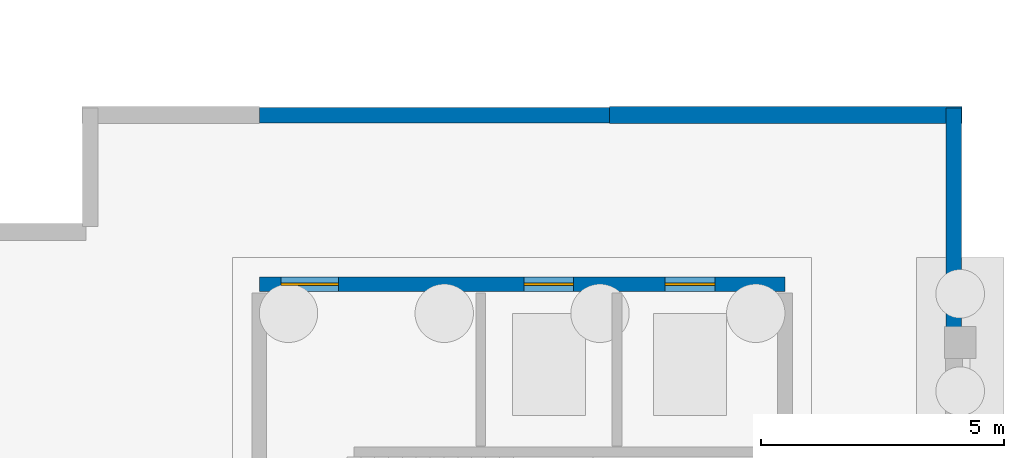
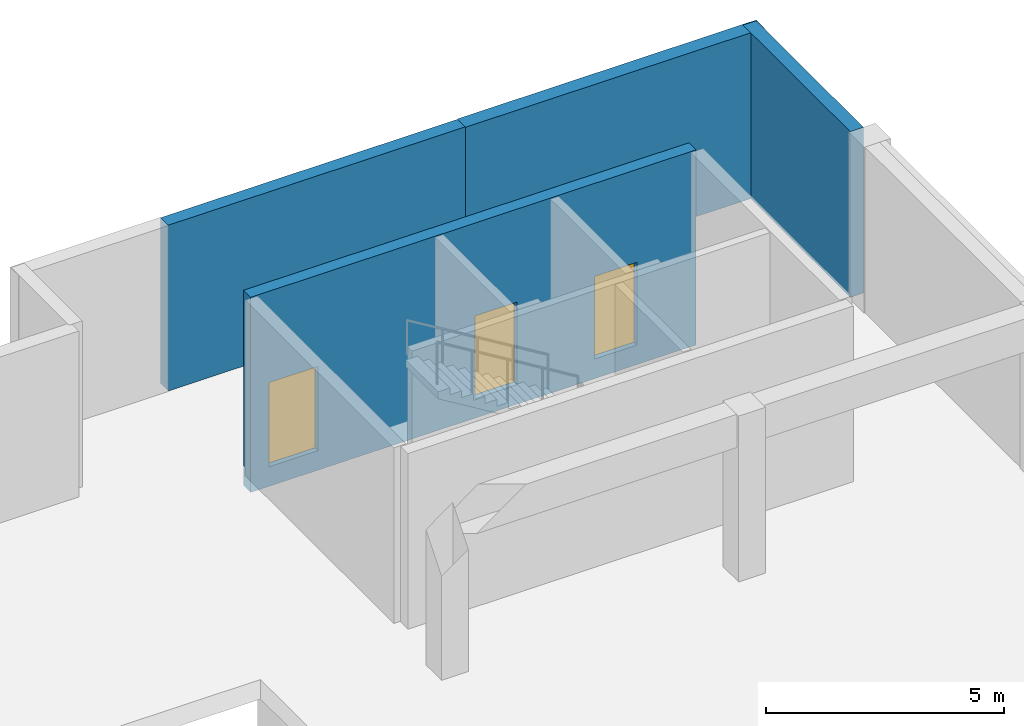
# One storey, part 21 of 28: 4 walls, 3 doors, 3 openings.
"""IFC4 building model written with IfcOpenShell, lengths in metres."""

import ifcopenshell
import ifcopenshell.guid

model = None  # the IFC model being written
_history = None  # IfcOwnerHistory: only IFC2X3 demands one
_inside = {}  # id of a spatial element -> (the spatial element, [elements in it])
_under = {}  # id of a project, library or spatial element -> (it, [spatial elements below it])
_declared = {}  # id of a project -> (the project, [libraries it declares])
_typed = {}  # id of a type object -> (the type object, [elements of that type])
_made_of = {}  # id of a material, layer set ... -> (it, [elements and type objects made of it])


def new_model(schema):
    """Start an empty IFC model of exactly this schema.

    Asked for "IFC4X3", IfcOpenShell would pick the latest addendum, in which some entities
    have other attributes; the version numbers below select the first issue.
    IFC2X3 requires an IfcOwnerHistory on every rooted entity: one is made here for all.
    """
    global model, _history
    if schema == "IFC4X3":
        model = ifcopenshell.file(schema_version=(4, 3, 0, 0))
    else:
        model = ifcopenshell.file(schema=schema)
    _inside.clear()
    _under.clear()
    _declared.clear()
    _typed.clear()
    _made_of.clear()
    _history = None
    if model.schema == "IFC2X3":
        org = make("IfcOrganization", Name="unknown")
        user = make(
            "IfcPersonAndOrganization",
            ThePerson=make("IfcPerson", FamilyName="unknown"),
            TheOrganization=org,
        )
        app = make(
            "IfcApplication",
            ApplicationDeveloper=org,
            Version="unknown",
            ApplicationFullName="unknown",
            ApplicationIdentifier="unknown",
        )
        _history = make(
            "IfcOwnerHistory",
            OwningUser=user,
            OwningApplication=app,
            ChangeAction="ADDED",
            CreationDate=0,
        )
    return model


def make(cls, **values):
    """One entity of the class cls with the attributes given. An attribute that is None is left unset."""
    return model.create_entity(
        cls, **{name: value for name, value in values.items() if value is not None}
    )


def rooted(cls, **values):
    """An entity with a GlobalId (a new one), such as an element, a storey or a relation."""
    return make(cls, GlobalId=ifcopenshell.guid.new(), OwnerHistory=_history, **values)


def si_unit(unit_type, name, prefix=None):
    """IfcSIUnit, for example si_unit("LENGTHUNIT", "METRE", prefix="MILLI")."""
    return make("IfcSIUnit", UnitType=unit_type, Prefix=prefix, Name=name)


def assignment(units):
    """IfcUnitAssignment: the units of a project."""
    return None if units is None else make("IfcUnitAssignment", Units=units)


def point(xyz):
    """IfcCartesianPoint."""
    return None if xyz is None else make("IfcCartesianPoint", Coordinates=xyz)


def direction(xyz):
    """IfcDirection."""
    return None if xyz is None else make("IfcDirection", DirectionRatios=xyz)


def frame(location, z_axis=None, x_axis=None):
    """IfcAxis2Placement3D, a coordinate frame: its origin and axes. An axis left out is left unset."""
    return make(
        "IfcAxis2Placement3D",
        Location=point(location),
        Axis=direction(z_axis),
        RefDirection=direction(x_axis),
    )


def frame_2d(location, x_axis=None):
    """IfcAxis2Placement2D, a coordinate frame in the plane: its origin and x axis."""
    return make(
        "IfcAxis2Placement2D", Location=point(location), RefDirection=direction(x_axis)
    )


def origin():
    """The frame at (0, 0, 0) with its axes left unset."""
    return frame((0.0, 0.0, 0.0))


def place(relative_to, where):
    """IfcLocalPlacement: puts the frame where relative to a parent placement (None: the world)."""
    return make(
        "IfcLocalPlacement", PlacementRelTo=relative_to, RelativePlacement=where
    )


def context(
    kind, dimensions, precision=None, world=None, true_north=None, identifier=None
):
    """IfcGeometricRepresentationContext, for example the 3D "Model" context."""
    return make(
        "IfcGeometricRepresentationContext",
        ContextIdentifier=identifier,
        ContextType=kind,
        CoordinateSpaceDimension=dimensions,
        Precision=precision,
        WorldCoordinateSystem=world,
        TrueNorth=true_north,
    )


def subcontext(parent, identifier, kind, view, scale=None):
    """IfcGeometricRepresentationSubContext, for example "Body" below "Model"."""
    return make(
        "IfcGeometricRepresentationSubContext",
        ContextIdentifier=identifier,
        ContextType=kind,
        ParentContext=parent,
        TargetScale=scale,
        TargetView=view,
    )


def project(units=None, contexts=None):
    """IfcProject with its units and contexts."""
    return rooted(
        "IfcProject",
        Name="project",
        RepresentationContexts=contexts,
        UnitsInContext=assignment(units),
    )


def spatial(cls, under=None, at=None, **own):
    """A site, building, storey or space (cls), placed at a placement, below another one or the project."""
    s = rooted(cls, ObjectPlacement=at, **own)
    if under is not None:
        _under.setdefault(under.id(), (under, []))[1].append(s)
    return s


def profile(cls, at=None, kind="AREA", **sizes):
    """A parametric profile (cls). Its sizes go by their IFC names, for example OverallWidth=200.0."""
    return make(cls, ProfileType=kind, Position=at, **sizes)


def rectangle(**sizes):
    """IfcRectangleProfileDef."""
    return profile("IfcRectangleProfileDef", **sizes)


def extrude(swept, where, along, depth):
    """IfcExtrudedAreaSolid: the profile swept, set in the frame where, extruded along a direction by depth."""
    return make(
        "IfcExtrudedAreaSolid",
        SweptArea=swept,
        Position=where,
        ExtrudedDirection=direction(along),
        Depth=depth,
    )


def shape(context_of_items, identifier, shape_type, items):
    """IfcShapeRepresentation: the items that make up one representation, for example the "Body"."""
    return make(
        "IfcShapeRepresentation",
        ContextOfItems=context_of_items,
        RepresentationIdentifier=identifier,
        RepresentationType=shape_type,
        Items=items,
    )


def material(Name=None, Category=None):
    """IfcMaterial."""
    return make("IfcMaterial", Name=Name, Category=Category)


def layer(
    of_material, thickness, ventilated=None, Name=None, Category=None, Priority=None
):
    """IfcMaterialLayer: one layer of a wall or slab, of a material (None: an air gap)."""
    return make(
        "IfcMaterialLayer",
        Material=of_material,
        LayerThickness=thickness,
        IsVentilated=ventilated,
        Name=Name,
        Category=Category,
        Priority=Priority,
    )


def layer_set(layers, Name=None):
    """IfcMaterialLayerSet."""
    return make("IfcMaterialLayerSet", MaterialLayers=layers, LayerSetName=Name)


def made_of(thing, what):
    """Note that an element or type object is made of a material, layer set ...; save() writes the relation."""
    if what is not None:
        _made_of.setdefault(what.id(), (what, []))[1].append(thing)
    return thing


def type_object(cls, material=None, **own):
    """A type object (cls), such as IfcWallType, which elements share."""
    return made_of(rooted(cls, **own), material)


def element(
    cls,
    number,
    at=None,
    inside=None,
    cuts=None,
    type_object=None,
    material=None,
    context=None,
    identifier="Body",
    shape_type=None,
    held_by="IfcProductDefinitionShape",
    body=None,
    shapes=None,
    **own,
):
    """One element of the class cls, such as IfcWall. Its Tag is "e" and its number.

    at: its placement. inside: the storey or other place that contains it. cuts: it is an
    opening in that element (IfcRelVoidsElement). A single representation is given by context,
    identifier, shape_type and body (its items); several are given by shapes. held_by: the class
    of the entity that holds the representations. save() writes the other relations.
    """
    e = rooted(cls, Tag="e%d" % number, ObjectPlacement=at, **own)
    if body is not None:
        shapes = [shape(context, identifier, shape_type, body)]
    if shapes is not None:
        e.Representation = make(held_by, Representations=shapes)
    if inside is not None:
        _inside.setdefault(inside.id(), (inside, []))[1].append(e)
    if cuts is not None:
        rooted(
            "IfcRelVoidsElement", RelatingBuildingElement=cuts, RelatedOpeningElement=e
        )
    if type_object is not None:
        _typed.setdefault(type_object.id(), (type_object, []))[1].append(e)
    return made_of(e, material)


def fill(opening, filler):
    """IfcRelFillsElement: the door or window that sits in an opening."""
    return rooted(
        "IfcRelFillsElement",
        RelatingOpeningElement=opening,
        RelatedBuildingElement=filler,
    )


def aggregate(whole, parts):
    """IfcRelAggregates: a whole, such as a stair, and the parts it consists of."""
    return rooted("IfcRelAggregates", RelatingObject=whole, RelatedObjects=parts)


def save(model, path):
    """Write the relations noted so far, then the file.

    IfcRelAggregates (storeys below a building ...), IfcRelContainedInSpatialStructure (elements
    in a storey), IfcRelDefinesByType, IfcRelAssociatesMaterial and IfcRelDeclares: one each for
    every whole, place, type object, material and project.
    """
    for whole, parts in _under.values():
        aggregate(whole, parts)
    for where, things in _inside.values():
        rooted(
            "IfcRelContainedInSpatialStructure",
            RelatedElements=things,
            RelatingStructure=where,
        )
    for kind, things in _typed.values():
        rooted("IfcRelDefinesByType", RelatedObjects=things, RelatingType=kind)
    for what, things in _made_of.values():
        rooted("IfcRelAssociatesMaterial", RelatedObjects=things, RelatingMaterial=what)
    for by, libraries in _declared.values():
        rooted("IfcRelDeclares", RelatingContext=by, RelatedDefinitions=libraries)
    model.write(path)


model = new_model("IFC4")

# Units and contexts
model_context = context("Model", 3, precision=1e-05, world=origin(), true_north=direction((0.0, 1.0)))
body_context = subcontext(model_context, "Body", "Model", "MODEL_VIEW")
ifc_project = project(units=[si_unit("LENGTHUNIT", "METRE"), si_unit("AREAUNIT", "SQUARE_METRE"), si_unit("VOLUMEUNIT", "CUBIC_METRE"), si_unit("PLANEANGLEUNIT", "RADIAN"), si_unit("MASSUNIT", "GRAM", prefix="KILO")], contexts=[model_context])

# Site, building, storey
site_placement = place(None, origin())
site = spatial("IfcSite", under=ifc_project, at=site_placement, CompositionType="ELEMENT")
building_placement = place(site_placement, origin())
building = spatial("IfcBuilding", under=site, at=building_placement, Name="Bramvelor Terrace Health Centre", CompositionType="ELEMENT")
storey_placement = place(building_placement, frame((0.0, 0.0, -4.5)))
storey = spatial("IfcBuildingStorey", under=building, at=storey_placement, Name="B1", CompositionType="ELEMENT", Elevation=-4.5)

# Wall, openings, doors
ifc_material_1 = material(Name="Concrete C40/50", Category="concrete")
ifc_layer_1 = layer(ifc_material_1, 0.300048828125)
ifc_layer_set_1 = layer_set([ifc_layer_1], Name="Concrete C40/50")
wall_type_1 = type_object("IfcWallType", Name="WL-CORE-300", PredefinedType="SHEAR", material=ifc_layer_set_1)
wall_1_placement = place(storey_placement, frame((79.199951171875, 94.800048828125, -0.5), z_axis=(0.0, 0.0, 1.0), x_axis=(1.0, 0.0, 0.0)))
wall_1 = element("IfcWall", 1, at=wall_1_placement, inside=storey, type_object=wall_type_1, Name="C4 B1 Core Shear Wall", PredefinedType="SHEAR", context=body_context, shape_type="SweptSolid", body=[
    extrude(rectangle(XDim=10.800048828125, YDim=0.300048828125, at=frame_2d((5.39990234375, 0.0))), origin(), (0.0, 0.0, 1.0), 5.0),
])
opening_1_placement = place(wall_1_placement, frame((0.449951171875, 0.0, 0.5)))
opening_1 = element("IfcOpeningElement", 2, at=opening_1_placement, cuts=wall_1, Name="Opening FD-02", PredefinedType="OPENING", context=body_context, shape_type="SweptSolid", body=[
    extrude(rectangle(XDim=1.179931640625, YDim=2.159912109375, at=frame_2d((0.58984375, 1.080078125))), frame((0.0, 0.159912109375, 0.0), z_axis=(0.0, -1.0, 0.0), x_axis=(1.0, 0.0, 0.0)), (0.0, 0.0, 1.0), 0.320068359375),
])
opening_2_placement = place(wall_1_placement, frame((5.43994140625, 0.0, 0.5)))
opening_2 = element("IfcOpeningElement", 3, at=opening_2_placement, cuts=wall_1, Name="Opening LD-2", PredefinedType="OPENING", context=body_context, shape_type="SweptSolid", body=[
    extrude(rectangle(XDim=1.02001953125, YDim=2.1201171875, at=frame_2d((0.510009765625, 1.06005859375))), frame((0.0, 0.159912109375, 0.0), z_axis=(0.0, -1.0, 0.0), x_axis=(1.0, 0.0, 0.0)), (0.0, 0.0, 1.0), 0.320068359375),
])
opening_3_placement = place(wall_1_placement, frame((8.340087890625, 0.0, 0.5)))
opening_3 = element("IfcOpeningElement", 4, at=opening_3_placement, cuts=wall_1, Name="Opening LD-2", PredefinedType="OPENING", context=body_context, shape_type="SweptSolid", body=[
    extrude(rectangle(XDim=1.02001953125, YDim=2.1201171875, at=frame_2d((0.510009765625, 1.06005859375))), frame((0.0, 0.159912109375, 0.0), z_axis=(0.0, -1.0, 0.0), x_axis=(1.0, 0.0, 0.0)), (0.0, 0.0, 1.0), 0.320068359375),
])
ifc_material_2 = material(Name="Fire-rated steel and vision panel", Category="steel")
door_type_1 = type_object("IfcDoorType", Name="DR-FD90-118", OperationType="NOTDEFINED", PredefinedType="DOOR", material=ifc_material_2)
door_1_placement = place(opening_1_placement, origin())
door_1 = element("IfcDoor", 5, at=door_1_placement, inside=storey, type_object=door_type_1, Name="C4 B1 Core Stair Fire Door", OperationType="SINGLE_SWING_LEFT", OverallHeight=2.159912109375, OverallWidth=1.179931640625, PredefinedType="DOOR", context=body_context, shape_type="SweptSolid", body=[
    extrude(rectangle(XDim=1.179931640625, YDim=2.159912109375, at=frame_2d((0.58984375, 1.080078125))), frame((0.0, 0.02490234375, 0.0), z_axis=(0.0, -1.0, 0.0), x_axis=(1.0, 0.0, 0.0)), (0.0, 0.0, 1.0), 0.050048828125),
])
fill(opening_1, door_1)
ifc_material_3 = material(Name="Brushed stainless steel 316", Category="steel")
door_type_2 = type_object("IfcDoorType", Name="DR-LIFT-PS102", OperationType="SLIDING_TO_LEFT", PredefinedType="DOOR", material=ifc_material_3)
door_2_placement = place(opening_2_placement, origin())
door_2 = element("IfcDoor", 6, at=door_2_placement, inside=storey, type_object=door_type_2, Name="Lift LS-01 B1 Sliding Landing Door", OperationType="SLIDING_TO_LEFT", OverallHeight=2.1201171875, OverallWidth=1.02001953125, PredefinedType="DOOR", context=body_context, shape_type="SweptSolid", body=[
    extrude(rectangle(XDim=1.02001953125, YDim=2.1201171875, at=frame_2d((0.510009765625, 1.06005859375))), frame((0.0, 0.02490234375, 0.0), z_axis=(0.0, -1.0, 0.0), x_axis=(1.0, 0.0, 0.0)), (0.0, 0.0, 1.0), 0.050048828125),
])
fill(opening_2, door_2)
door_3_placement = place(opening_3_placement, origin())
door_3 = element("IfcDoor", 7, at=door_3_placement, inside=storey, type_object=door_type_2, Name="Lift LS-02 B1 Sliding Landing Door", OperationType="SLIDING_TO_LEFT", OverallHeight=2.1201171875, OverallWidth=1.02001953125, PredefinedType="DOOR", context=body_context, shape_type="SweptSolid", body=[
    extrude(rectangle(XDim=1.02001953125, YDim=2.1201171875, at=frame_2d((0.510009765625, 1.06005859375))), frame((0.0, 0.02490234375, 0.0), z_axis=(0.0, -1.0, 0.0), x_axis=(1.0, 0.0, 0.0)), (0.0, 0.0, 1.0), 0.050048828125),
])
fill(opening_3, door_3)

# Walls
ifc_material_4 = material(Name="Concrete C40/50", Category="concrete")
ifc_layer_2 = layer(ifc_material_4, 0.320068359375)
ifc_layer_set_2 = layer_set([ifc_layer_2], Name="Concrete C40/50")
wall_type_2 = type_object("IfcWallType", Name="WL-RET-320", PredefinedType="SOLIDWALL", material=ifc_layer_set_2)
wall_2_placement = place(storey_placement, frame((79.199951171875, 98.27001953125, 0.0), z_axis=(0.0, 0.0, 1.0), x_axis=(1.0, 0.0, 0.0)))
element("IfcWall", 8, at=wall_2_placement, inside=storey, type_object=wall_type_2, Name="B1 Perimeter Basement Retaining Wall 21", PredefinedType="SOLIDWALL", context=body_context, shape_type="SweptSolid", body=[
    extrude(rectangle(XDim=7.199951171875, YDim=0.320068359375, at=frame_2d((3.60009765625, 0.0))), origin(), (0.0, 0.0, 1.0), 4.25),
])
wall_3_placement = place(storey_placement, frame((93.469970703125, 98.419921875, 0.0), z_axis=(0.0, 0.0, 1.0), x_axis=(0.0, -1.0, 0.0)))
element("IfcWall", 9, at=wall_3_placement, inside=storey, type_object=wall_type_2, Name="B1 Perimeter Basement Retaining Wall 23", PredefinedType="SOLIDWALL", context=body_context, shape_type="SweptSolid", body=[
    extrude(rectangle(XDim=4.5, YDim=0.320068359375, at=frame_2d((2.25, 0.0))), origin(), (0.0, 0.0, 1.0), 4.25),
])
ifc_material_5 = material(Name="Concrete C40/50", Category="concrete")
ifc_layer_3 = layer(ifc_material_5, 0.35009765625)
ifc_layer_set_3 = layer_set([ifc_layer_3], Name="Concrete C40/50")
wall_type_3 = type_object("IfcWallType", Name="WL-RET-350", PredefinedType="SOLIDWALL", material=ifc_layer_set_3)
wall_4_placement = place(storey_placement, frame((86.39990234375, 98.27001953125, 0.0), z_axis=(0.0, 0.0, 1.0), x_axis=(1.0, 0.0, 0.0)))
element("IfcWall", 10, at=wall_4_placement, inside=storey, type_object=wall_type_3, Name="B1 Perimeter Basement Retaining Wall 22", PredefinedType="SOLIDWALL", context=body_context, shape_type="SweptSolid", body=[
    extrude(rectangle(XDim=7.239990234375, YDim=0.35009765625, at=frame_2d((3.6201171875, 0.0))), origin(), (0.0, 0.0, 1.0), 4.25),
])

save(model, "model.ifc")
